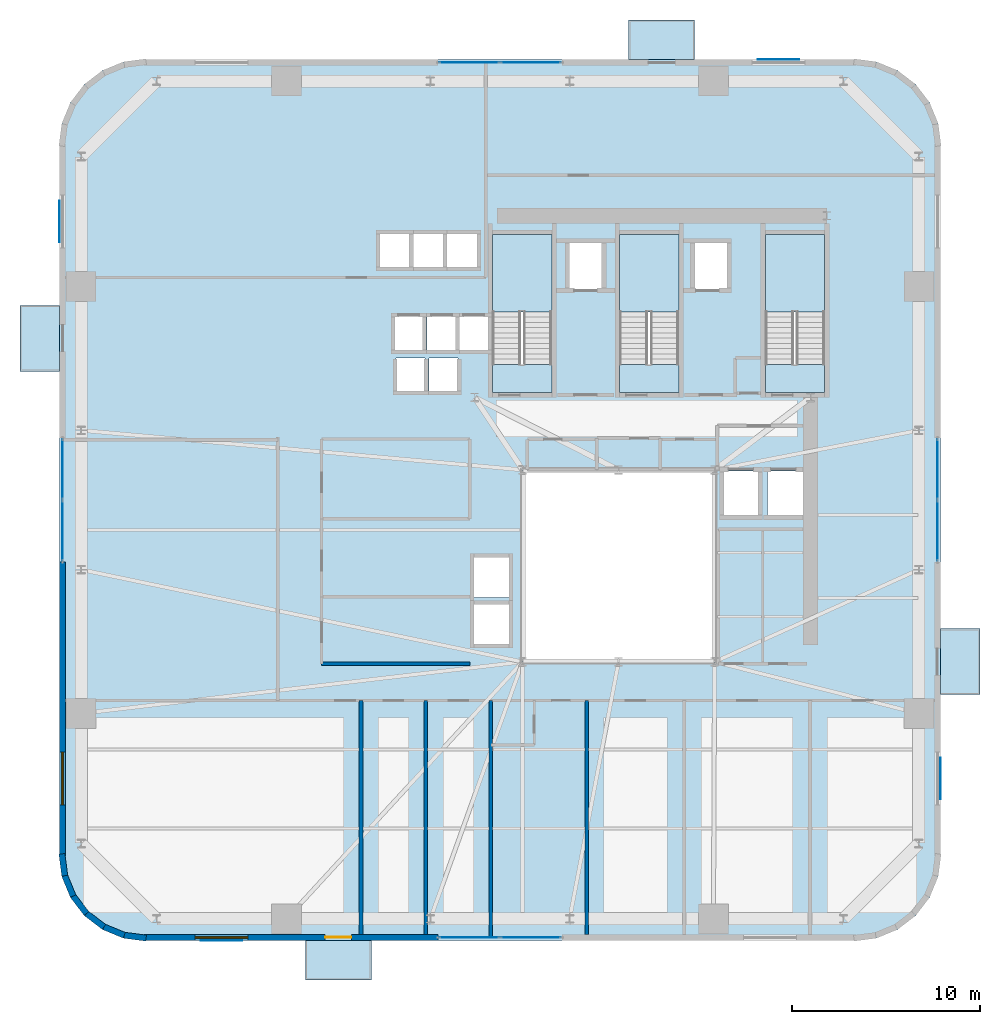
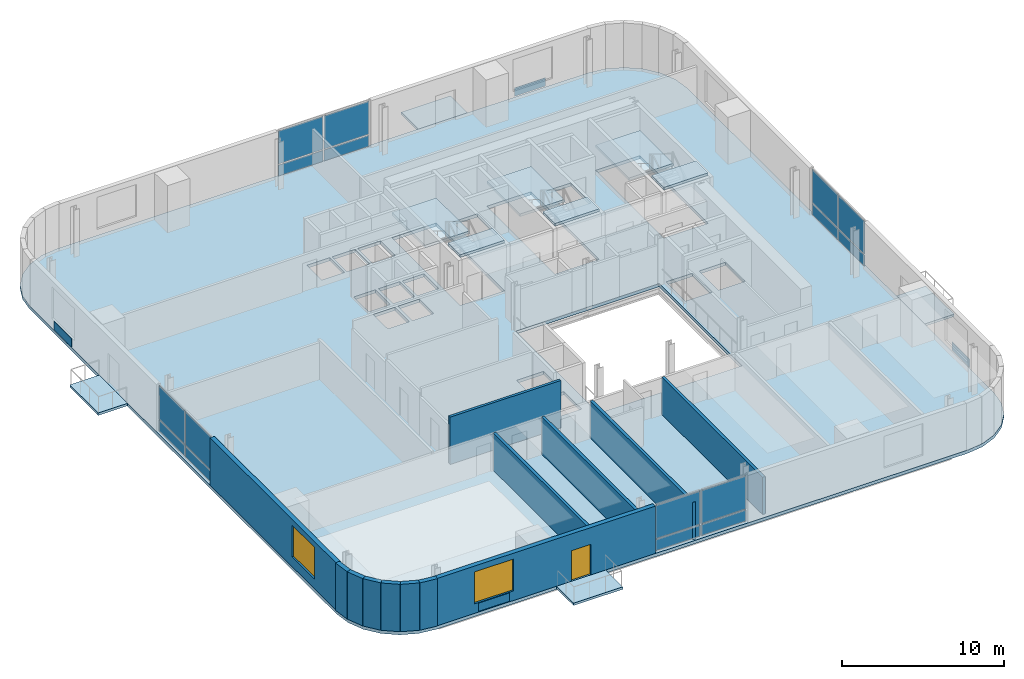
# One storey, part 5 of 14: 20 plates, 13 walls, 11 slabs, 2 windows, 1 door, 3 openings, 7 elements without a shape of their own.
"""IFC4 building model written with IfcOpenShell, lengths in metres."""

from ifc_helpers import new_model, si_unit, direction, frame, frame_2d, origin, origin_2d, place, context, subcontext, project, spatial, polyline, rectangle, outline, extrude, source, transform, mapped, material, layer, layer_set, type_object, element, fill, aggregate, save


model = new_model("IFC4")

# Units and contexts
model_context = context("Model", 3, precision=1e-05, world=origin(), true_north=direction((0.0, 1.0)))
body_context = subcontext(model_context, "Body", "Model", "MODEL_VIEW")
ifc_project = project(units=[si_unit("LENGTHUNIT", "METRE"), si_unit("AREAUNIT", "SQUARE_METRE"), si_unit("VOLUMEUNIT", "CUBIC_METRE"), si_unit("PLANEANGLEUNIT", "RADIAN"), si_unit("MASSUNIT", "GRAM", prefix="KILO")], contexts=[model_context])

# Site, building, storey
site_placement = place(None, origin())
site = spatial("IfcSite", under=ifc_project, at=site_placement, CompositionType="ELEMENT")
building_placement = place(site_placement, origin())
building = spatial("IfcBuilding", under=site, at=building_placement, Name="Vardaveli Station Tower", CompositionType="ELEMENT")
storey_placement = place(building_placement, frame((0.0, 0.0, 103.699951171875)))
storey = spatial("IfcBuildingStorey", under=building, at=storey_placement, Name="L26", CompositionType="ELEMENT", Elevation=103.699951171875)

# Stair, slabs
ifc_material_1 = material(Name="Concrete C40/50", Category="concrete")
stair_type = type_object("IfcStairType", Name="STR-CORE-1500", PredefinedType="HALF_TURN_STAIR", material=ifc_material_1)
stair_1_placement = place(storey_placement, origin())
stair_1 = element("IfcStair", 1, at=stair_1_placement, inside=storey, type_object=stair_type, Name="L26 ST-1", PredefinedType="HALF_TURN_STAIR")
ifc_layer_1 = layer(ifc_material_1, 0.199951171875, Name="Concrete C40/50")
ifc_layer_set_1 = layer_set([ifc_layer_1], Name="Concrete C40/50")
slab_type_1 = type_object("IfcSlabType", Name="SLB-LAND-200", PredefinedType="LANDING", material=ifc_layer_set_1)
slab_1_placement = place(storey_placement, frame((0.0, 0.0, 1.699951171875)))
slab_1 = element("IfcSlab", 2, at=slab_1_placement, type_object=slab_type_1, Name="ST-1 landing 1", PredefinedType="LANDING", context=body_context, shape_type="SweptSolid", body=[
    extrude(outline(polyline([(32.75, 35.199951171875), (32.75, 39.300048828125), (29.60009765625, 39.300048828125), (29.60009765625, 35.199951171875), (32.75, 35.199951171875)])), origin(), (0.0, 0.0, 1.0), 0.2001953125),
])
slab_2_placement = place(storey_placement, frame((0.0, 0.0, 3.60009765625)))
slab_2 = element("IfcSlab", 3, at=slab_2_placement, type_object=slab_type_1, Name="ST-1 landing 2", PredefinedType="LANDING", context=body_context, shape_type="SweptSolid", body=[
    extrude(outline(polyline([(32.75, 30.89990234375), (32.75, 32.39990234375), (29.60009765625, 32.39990234375), (29.60009765625, 30.89990234375), (32.75, 30.89990234375)])), origin(), (0.0, 0.0, 1.0), 0.199951171875),
])
aggregate(stair_1, [slab_1, slab_2])

stair_2_placement = place(storey_placement, origin())
stair_2 = element("IfcStair", 4, at=stair_2_placement, inside=storey, type_object=stair_type, Name="L26 ST-2", PredefinedType="HALF_TURN_STAIR")
slab_3_placement = place(storey_placement, frame((0.0, 0.0, 1.699951171875)))
slab_3 = element("IfcSlab", 5, at=slab_3_placement, type_object=slab_type_1, Name="ST-2 landing 1", PredefinedType="LANDING", context=body_context, shape_type="SweptSolid", body=[
    extrude(outline(polyline([(39.5, 35.199951171875), (39.5, 39.300048828125), (36.35009765625, 39.300048828125), (36.35009765625, 35.199951171875), (39.5, 35.199951171875)])), origin(), (0.0, 0.0, 1.0), 0.2001953125),
])
slab_4_placement = place(storey_placement, frame((0.0, 0.0, 3.60009765625)))
slab_4 = element("IfcSlab", 6, at=slab_4_placement, type_object=slab_type_1, Name="ST-2 landing 2", PredefinedType="LANDING", context=body_context, shape_type="SweptSolid", body=[
    extrude(outline(polyline([(39.5, 30.89990234375), (39.5, 32.39990234375), (36.35009765625, 32.39990234375), (36.35009765625, 30.89990234375), (39.5, 30.89990234375)])), origin(), (0.0, 0.0, 1.0), 0.199951171875),
])
aggregate(stair_2, [slab_3, slab_4])

stair_3_placement = place(storey_placement, origin())
stair_3 = element("IfcStair", 7, at=stair_3_placement, inside=storey, type_object=stair_type, Name="L26 ST-3", PredefinedType="HALF_TURN_STAIR")
slab_5_placement = place(storey_placement, frame((0.0, 0.0, 1.699951171875)))
slab_5 = element("IfcSlab", 8, at=slab_5_placement, type_object=slab_type_1, Name="ST-3 landing 1", PredefinedType="LANDING", context=body_context, shape_type="SweptSolid", body=[
    extrude(outline(polyline([(47.25, 35.199951171875), (47.25, 39.300048828125), (44.10009765625, 39.300048828125), (44.10009765625, 35.199951171875), (47.25, 35.199951171875)])), origin(), (0.0, 0.0, 1.0), 0.2001953125),
])
slab_6_placement = place(storey_placement, frame((0.0, 0.0, 3.60009765625)))
slab_6 = element("IfcSlab", 9, at=slab_6_placement, type_object=slab_type_1, Name="ST-3 landing 2", PredefinedType="LANDING", context=body_context, shape_type="SweptSolid", body=[
    extrude(outline(polyline([(47.25, 30.89990234375), (47.25, 32.39990234375), (44.10009765625, 32.39990234375), (44.10009765625, 30.89990234375), (47.25, 30.89990234375)])), origin(), (0.0, 0.0, 1.0), 0.199951171875),
])
aggregate(stair_3, [slab_5, slab_6])

# Slabs
ifc_material_2 = material(Name="Precast concrete C45/55", Category="concrete")
ifc_layer_2 = layer(ifc_material_2, 0.179931640625, Name="Precast concrete C45/55")
ifc_layer_set_2 = layer_set([ifc_layer_2], Name="Precast concrete C45/55")
slab_type_2 = type_object("IfcSlabType", Name="SLB-LOGGIA-180", PredefinedType="FLOOR", material=ifc_layer_set_2)
slab_7_placement = place(storey_placement, frame((0.0, 0.0, -0.179931640625)))
element("IfcSlab", 10, at=slab_7_placement, inside=storey, type_object=slab_type_2, Name="LOG-L26-S", PredefinedType="FLOOR", context=body_context, shape_type="SweptSolid", body=[
    extrude(outline(polyline([(19.660400390625, -0.300048828125), (23.160400390625, -0.300048828125), (23.160400390625, 1.800048828125), (19.660400390625, 1.800048828125), (19.660400390625, -0.300048828125)])), origin(), (0.0, 0.0, 1.0), 0.179931640625),
])
slab_8_placement = place(storey_placement, frame((0.0, 0.0, -0.179931640625)))
element("IfcSlab", 11, at=slab_8_placement, inside=storey, type_object=slab_type_2, Name="LOG-L26-N", PredefinedType="FLOOR", context=body_context, shape_type="SweptSolid", body=[
    extrude(outline(polyline([(36.839599609375, 48.60009765625), (40.339599609375, 48.60009765625), (40.339599609375, 50.699951171875), (36.839599609375, 50.699951171875), (36.839599609375, 48.60009765625)])), origin(), (0.0, 0.0, 1.0), 0.179931640625),
])
slab_9_placement = place(storey_placement, frame((0.0, 0.0, -0.179931640625)))
element("IfcSlab", 12, at=slab_9_placement, inside=storey, type_object=slab_type_2, Name="LOG-L26-W", PredefinedType="FLOOR", context=body_context, shape_type="SweptSolid", body=[
    extrude(outline(polyline([(4.5, 32.03955078125), (6.60009765625, 32.03955078125), (6.60009765625, 35.53955078125), (4.5, 35.53955078125), (4.5, 32.03955078125)])), origin(), (0.0, 0.0, 1.0), 0.179931640625),
])
slab_10_placement = place(storey_placement, frame((0.0, 0.0, -0.179931640625)))
element("IfcSlab", 13, at=slab_10_placement, inside=storey, type_object=slab_type_2, Name="LOG-L26-E", PredefinedType="FLOOR", context=body_context, shape_type="SweptSolid", body=[
    extrude(outline(polyline([(53.39990234375, 14.8603515625), (55.5, 14.8603515625), (55.5, 18.3603515625), (53.39990234375, 18.3603515625), (53.39990234375, 14.8603515625)])), origin(), (0.0, 0.0, 1.0), 0.179931640625),
])
ifc_layer_3 = layer(ifc_material_1, 0.239990234375, Name="Concrete C40/50")
ifc_layer_set_3 = layer_set([ifc_layer_3], Name="Concrete C40/50")
slab_type_3 = type_object("IfcSlabType", Name="SLB-TOW-240", PredefinedType="FLOOR", material=ifc_layer_set_3)
slab_11_placement = place(storey_placement, frame((0.0, 0.0, -0.239990234375)))
element("IfcSlab", 14, at=slab_11_placement, inside=storey, type_object=slab_type_3, Name="SLB-L26-MAIN", PredefinedType="FLOOR", context=body_context, shape_type="SweptSolid", body=[
    extrude(outline(polyline([(6.60009765625, 6.300048828125), (6.75341796875, 5.13525390625), (7.202880859375, 4.050048828125), (7.91796875, 3.117919921875), (8.85009765625, 2.40283203125), (9.935302734375, 1.953369140625), (11.10009765625, 1.800048828125), (48.89990234375, 1.800048828125), (50.064697265625, 1.953369140625), (51.14990234375, 2.40283203125), (52.08203125, 3.117919921875), (52.797119140625, 4.050048828125), (53.24658203125, 5.13525390625), (53.39990234375, 6.300048828125), (53.39990234375, 44.10009765625), (53.24658203125, 45.2646484375), (52.797119140625, 46.35009765625), (52.08203125, 47.281982421875), (51.14990234375, 47.9970703125), (50.064697265625, 48.44677734375), (48.89990234375, 48.60009765625), (11.10009765625, 48.60009765625), (9.935302734375, 48.44677734375), (8.85009765625, 47.9970703125), (7.91796875, 47.281982421875), (7.202880859375, 46.35009765625), (6.75341796875, 45.2646484375), (6.60009765625, 44.10009765625), (6.60009765625, 6.300048828125)]), holes=[polyline([(31.199951171875, 16.60009765625), (41.39990234375, 16.60009765625), (41.39990234375, 26.800048828125), (31.199951171875, 26.800048828125), (31.199951171875, 16.60009765625)]), polyline([(32.75, 30.89990234375), (32.75, 39.300048828125), (29.60009765625, 39.300048828125), (29.60009765625, 30.89990234375), (32.75, 30.89990234375)]), polyline([(39.5, 30.89990234375), (39.5, 39.300048828125), (36.35009765625, 39.300048828125), (36.35009765625, 30.89990234375), (39.5, 30.89990234375)]), polyline([(47.25, 30.89990234375), (47.25, 39.300048828125), (44.10009765625, 39.300048828125), (44.10009765625, 30.89990234375), (47.25, 30.89990234375)]), polyline([(23.5849609375, 37.534912109375), (25.215087890625, 37.534912109375), (25.215087890625, 39.364990234375), (23.5849609375, 39.364990234375), (23.5849609375, 37.534912109375)]), polyline([(25.385009765625, 37.534912109375), (27.014892578125, 37.534912109375), (27.014892578125, 39.364990234375), (25.385009765625, 39.364990234375), (25.385009765625, 37.534912109375)]), polyline([(27.18505859375, 37.534912109375), (28.81494140625, 37.534912109375), (28.81494140625, 39.364990234375), (27.18505859375, 39.364990234375), (27.18505859375, 37.534912109375)]), polyline([(24.385009765625, 33.135009765625), (25.9150390625, 33.135009765625), (25.9150390625, 34.965087890625), (24.385009765625, 34.965087890625), (24.385009765625, 33.135009765625)]), polyline([(26.135009765625, 33.135009765625), (27.6650390625, 33.135009765625), (27.6650390625, 34.965087890625), (26.135009765625, 34.965087890625), (26.135009765625, 33.135009765625)]), polyline([(27.8349609375, 33.135009765625), (29.364990234375, 33.135009765625), (29.364990234375, 34.965087890625), (27.8349609375, 34.965087890625), (27.8349609375, 33.135009765625)]), polyline([(33.659912109375, 36.409912109375), (35.43994140625, 36.409912109375), (35.43994140625, 38.889892578125), (33.659912109375, 38.889892578125), (33.659912109375, 36.409912109375)]), polyline([(40.31005859375, 36.409912109375), (42.090087890625, 36.409912109375), (42.090087890625, 38.889892578125), (40.31005859375, 38.889892578125), (40.31005859375, 36.409912109375)]), polyline([(24.485107421875, 30.9599609375), (26.014892578125, 30.9599609375), (26.014892578125, 32.739990234375), (24.485107421875, 32.739990234375), (24.485107421875, 30.9599609375)]), polyline([(26.235107421875, 30.9599609375), (27.764892578125, 30.9599609375), (27.764892578125, 32.739990234375), (26.235107421875, 32.739990234375), (26.235107421875, 30.9599609375)]), polyline([(28.5849609375, 17.510009765625), (30.514892578125, 17.510009765625), (30.514892578125, 19.68994140625), (28.5849609375, 19.68994140625), (28.5849609375, 17.510009765625)]), polyline([(28.5849609375, 20.010009765625), (30.514892578125, 20.010009765625), (30.514892578125, 22.18994140625), (28.5849609375, 22.18994140625), (28.5849609375, 20.010009765625)]), polyline([(41.860107421875, 24.360107421875), (43.739990234375, 24.360107421875), (43.739990234375, 26.739990234375), (41.860107421875, 26.739990234375), (41.860107421875, 24.360107421875)]), polyline([(44.2099609375, 24.360107421875), (46.090087890625, 24.360107421875), (46.090087890625, 26.739990234375), (44.2099609375, 26.739990234375), (44.2099609375, 24.360107421875)])]), origin(), (0.0, 0.0, 1.0), 0.239990234375),
])

# Curtain wall, plates
ifc_material_3 = material(Name="Travertine stone and solar-control glass", Category="masonry")
curtain_wall_type = type_object("IfcCurtainWallType", Name="CW-SYS-2", PredefinedType="NOTDEFINED", material=ifc_material_3)
curtain_wall_1_placement = place(storey_placement, origin())
curtain_wall_1 = element("IfcCurtainWall", 15, at=curtain_wall_1_placement, inside=storey, type_object=curtain_wall_type, Name="CW-L26-S", PredefinedType="NOTDEFINED")
ifc_material_4 = material(Name="Double-glazed low-E solar-control glass", Category="glass")
ifc_layer_4 = layer(ifc_material_4, 0.035888671875, Name="Double-glazed low-E solar-control glass")
ifc_layer_set_4 = layer_set([ifc_layer_4], Name="Double-glazed low-E solar-control glass")
plate_type_1 = type_object("IfcPlateType", Name="CW-SYS-2-PAN", PredefinedType="CURTAIN_PANEL", material=ifc_layer_set_4)
shared_shape_1 = source(origin(), body_context, "Body", "SweptSolid", [
    extrude(rectangle(XDim=3.172607421875, YDim=0.035888671875, at=origin_2d()), origin(), (0.0, 0.0, 1.0), 0.822509765625),
])
plate_1_placement = place(storey_placement, frame((28.371337890625, 1.9599609375, 0.0849609375), z_axis=(0.0, 0.0, 1.0), x_axis=(1.0, 0.0, 0.0)))
plate_1 = element("IfcPlate", 16, at=plate_1_placement, type_object=plate_type_1, Name="CW-2 panel 1.1", PredefinedType="CURTAIN_PANEL", context=body_context, shape_type="MappedRepresentation", body=[
    mapped(shared_shape_1, transform((0.0, 0.0, 0.0), scale=1.0)),
])
plate_2_placement = place(storey_placement, frame((31.628662109375, 1.9599609375, 0.0849609375), z_axis=(0.0, 0.0, 1.0), x_axis=(1.0, 0.0, 0.0)))
plate_2 = element("IfcPlate", 17, at=plate_2_placement, type_object=plate_type_1, Name="CW-2 panel 2.1", PredefinedType="CURTAIN_PANEL", context=body_context, shape_type="MappedRepresentation", body=[
    mapped(shared_shape_1, transform((0.0, 0.0, 0.0), scale=1.0)),
])

curtain_wall_2_placement = place(storey_placement, origin())
curtain_wall_2 = element("IfcCurtainWall", 18, at=curtain_wall_2_placement, inside=storey, type_object=curtain_wall_type, Name="CW-L26-N", PredefinedType="NOTDEFINED")
plate_3_placement = place(storey_placement, frame((31.628662109375, 48.43994140625, 0.0849609375), z_axis=(0.0, 0.0, 1.0), x_axis=(-1.0, 0.0, 0.0)))
plate_3 = element("IfcPlate", 19, at=plate_3_placement, type_object=plate_type_1, Name="CW-2 panel 1.1", PredefinedType="CURTAIN_PANEL", context=body_context, shape_type="MappedRepresentation", body=[
    mapped(shared_shape_1, transform((0.0, 0.0, 0.0), scale=1.0)),
])
plate_4_placement = place(storey_placement, frame((28.371337890625, 48.43994140625, 0.0849609375), z_axis=(0.0, 0.0, 1.0), x_axis=(-1.0, 0.0, 0.0)))
plate_4 = element("IfcPlate", 20, at=plate_4_placement, type_object=plate_type_1, Name="CW-2 panel 2.1", PredefinedType="CURTAIN_PANEL", context=body_context, shape_type="MappedRepresentation", body=[
    mapped(shared_shape_1, transform((0.0, 0.0, 0.0), scale=1.0)),
])

curtain_wall_3_placement = place(storey_placement, origin())
curtain_wall_3 = element("IfcCurtainWall", 21, at=curtain_wall_3_placement, inside=storey, type_object=curtain_wall_type, Name="CW-L26-W", PredefinedType="NOTDEFINED")
plate_5_placement = place(storey_placement, frame((6.760009765625, 26.828857421875, 0.0849609375), z_axis=(0.0, 0.0, 1.0), x_axis=(0.0, -1.0, 0.0)))
plate_5 = element("IfcPlate", 22, at=plate_5_placement, type_object=plate_type_1, Name="CW-2 panel 1.1", PredefinedType="CURTAIN_PANEL", context=body_context, shape_type="MappedRepresentation", body=[
    mapped(shared_shape_1, transform((0.0, 0.0, 0.0), scale=1.0)),
])
plate_6_placement = place(storey_placement, frame((6.760009765625, 23.5712890625, 0.0849609375), z_axis=(0.0, 0.0, 1.0), x_axis=(0.0, -1.0, 0.0)))
plate_6 = element("IfcPlate", 23, at=plate_6_placement, type_object=plate_type_1, Name="CW-2 panel 2.1", PredefinedType="CURTAIN_PANEL", context=body_context, shape_type="MappedRepresentation", body=[
    mapped(shared_shape_1, transform((0.0, 0.0, 0.0), scale=1.0)),
])

curtain_wall_4_placement = place(storey_placement, origin())
curtain_wall_4 = element("IfcCurtainWall", 24, at=curtain_wall_4_placement, inside=storey, type_object=curtain_wall_type, Name="CW-L26-E", PredefinedType="NOTDEFINED")
plate_7_placement = place(storey_placement, frame((53.239990234375, 23.5712890625, 0.0849609375), z_axis=(0.0, 0.0, 1.0), x_axis=(0.0, 1.0, 0.0)))
plate_7 = element("IfcPlate", 25, at=plate_7_placement, type_object=plate_type_1, Name="CW-2 panel 1.1", PredefinedType="CURTAIN_PANEL", context=body_context, shape_type="MappedRepresentation", body=[
    mapped(shared_shape_1, transform((0.0, 0.0, 0.0), scale=1.0)),
])
plate_8_placement = place(storey_placement, frame((53.239990234375, 26.828857421875, 0.0849609375), z_axis=(0.0, 0.0, 1.0), x_axis=(0.0, 1.0, 0.0)))
plate_8 = element("IfcPlate", 26, at=plate_8_placement, type_object=plate_type_1, Name="CW-2 panel 2.1", PredefinedType="CURTAIN_PANEL", context=body_context, shape_type="MappedRepresentation", body=[
    mapped(shared_shape_1, transform((0.0, 0.0, 0.0), scale=1.0)),
])

# Plates
ifc_material_5 = material(Name="Honed Caucasian travertine stone", Category="masonry")
ifc_layer_5 = layer(ifc_material_5, 0.034912109375, Name="Honed Caucasian travertine stone")
ifc_layer_set_5 = layer_set([ifc_layer_5], Name="Honed Caucasian travertine stone")
plate_type_2 = type_object("IfcPlateType", Name="PLT-TRAV-35", PredefinedType="SHEET", material=ifc_layer_set_5)
shared_shape_2 = source(origin(), body_context, "Body", "SweptSolid", [
    extrude(rectangle(XDim=2.199951171875, YDim=0.034912109375, at=origin_2d()), origin(), (0.0, 0.0, 1.0), 0.6201171875),
])
for number, where, z_axis, x_axis, name in (
    (27, (15.205078125, 1.79052734375, 0.070068359375), (0.0, 0.0, 1.0), (1.0, 0.0, 0.0), "PLT-TR-L26-S"),
    (28, (44.794921875, 48.609619140625, 0.070068359375), (0.0, 0.0, 1.0), (1.0, 0.0, 0.0), "PLT-TR-L26-N"),
    (29, (6.590576171875, 39.9951171875, 0.070068359375), (0.0, 0.0, 1.0), (0.0, 1.0, 0.0), "PLT-TR-L26-W"),
    (30, (53.409423828125, 10.405029296875, 0.070068359375), (0.0, 0.0, 1.0), (0.0, 1.0, 0.0), "PLT-TR-L26-E"),
):
    element("IfcPlate", number, at=place(storey_placement, frame(where, z_axis=z_axis, x_axis=x_axis)), inside=storey, type_object=plate_type_2, Name=name, PredefinedType="SHEET", context=body_context, shape_type="MappedRepresentation", body=[
        mapped(shared_shape_2, transform((0.0, 0.0, 0.0), scale=1.0)),
    ])

# Plate
shared_shape_3 = source(origin(), body_context, "Body", "SweptSolid", [
    extrude(rectangle(XDim=3.172607421875, YDim=0.035888671875, at=origin_2d()), origin(), (0.0, 0.0, 1.0), 2.482421875),
])
plate_9_placement = place(storey_placement, frame((28.371337890625, 1.9599609375, 0.99267578125), z_axis=(0.0, 0.0, 1.0), x_axis=(1.0, 0.0, 0.0)))
plate_9 = element("IfcPlate", 31, at=plate_9_placement, type_object=plate_type_1, Name="CW-2 panel 1.2", PredefinedType="CURTAIN_PANEL", context=body_context, shape_type="MappedRepresentation", body=[
    mapped(shared_shape_3, transform((0.0, 0.0, 0.0), scale=1.0)),
])

plate_10_placement = place(storey_placement, frame((31.628662109375, 1.9599609375, 0.99267578125), z_axis=(0.0, 0.0, 1.0), x_axis=(1.0, 0.0, 0.0)))
plate_10 = element("IfcPlate", 32, at=plate_10_placement, type_object=plate_type_1, Name="CW-2 panel 2.2", PredefinedType="CURTAIN_PANEL", context=body_context, shape_type="MappedRepresentation", body=[
    mapped(shared_shape_3, transform((0.0, 0.0, 0.0), scale=1.0)),
])

aggregate(curtain_wall_1, [plate_1, plate_9, plate_2, plate_10])

plate_11_placement = place(storey_placement, frame((31.628662109375, 48.43994140625, 0.99267578125), z_axis=(0.0, 0.0, 1.0), x_axis=(-1.0, 0.0, 0.0)))
plate_11 = element("IfcPlate", 33, at=plate_11_placement, type_object=plate_type_1, Name="CW-2 panel 1.2", PredefinedType="CURTAIN_PANEL", context=body_context, shape_type="MappedRepresentation", body=[
    mapped(shared_shape_3, transform((0.0, 0.0, 0.0), scale=1.0)),
])

plate_12_placement = place(storey_placement, frame((28.371337890625, 48.43994140625, 0.99267578125), z_axis=(0.0, 0.0, 1.0), x_axis=(-1.0, 0.0, 0.0)))
plate_12 = element("IfcPlate", 34, at=plate_12_placement, type_object=plate_type_1, Name="CW-2 panel 2.2", PredefinedType="CURTAIN_PANEL", context=body_context, shape_type="MappedRepresentation", body=[
    mapped(shared_shape_3, transform((0.0, 0.0, 0.0), scale=1.0)),
])

aggregate(curtain_wall_2, [plate_3, plate_11, plate_4, plate_12])

plate_13_placement = place(storey_placement, frame((6.760009765625, 26.828857421875, 0.99267578125), z_axis=(0.0, 0.0, 1.0), x_axis=(0.0, -1.0, 0.0)))
plate_13 = element("IfcPlate", 35, at=plate_13_placement, type_object=plate_type_1, Name="CW-2 panel 1.2", PredefinedType="CURTAIN_PANEL", context=body_context, shape_type="MappedRepresentation", body=[
    mapped(shared_shape_3, transform((0.0, 0.0, 0.0), scale=1.0)),
])

plate_14_placement = place(storey_placement, frame((6.760009765625, 23.5712890625, 0.99267578125), z_axis=(0.0, 0.0, 1.0), x_axis=(0.0, -1.0, 0.0)))
plate_14 = element("IfcPlate", 36, at=plate_14_placement, type_object=plate_type_1, Name="CW-2 panel 2.2", PredefinedType="CURTAIN_PANEL", context=body_context, shape_type="MappedRepresentation", body=[
    mapped(shared_shape_3, transform((0.0, 0.0, 0.0), scale=1.0)),
])

aggregate(curtain_wall_3, [plate_5, plate_13, plate_6, plate_14])

plate_15_placement = place(storey_placement, frame((53.239990234375, 23.5712890625, 0.99267578125), z_axis=(0.0, 0.0, 1.0), x_axis=(0.0, 1.0, 0.0)))
plate_15 = element("IfcPlate", 37, at=plate_15_placement, type_object=plate_type_1, Name="CW-2 panel 1.2", PredefinedType="CURTAIN_PANEL", context=body_context, shape_type="MappedRepresentation", body=[
    mapped(shared_shape_3, transform((0.0, 0.0, 0.0), scale=1.0)),
])

plate_16_placement = place(storey_placement, frame((53.239990234375, 26.828857421875, 0.99267578125), z_axis=(0.0, 0.0, 1.0), x_axis=(0.0, 1.0, 0.0)))
plate_16 = element("IfcPlate", 38, at=plate_16_placement, type_object=plate_type_1, Name="CW-2 panel 2.2", PredefinedType="CURTAIN_PANEL", context=body_context, shape_type="MappedRepresentation", body=[
    mapped(shared_shape_3, transform((0.0, 0.0, 0.0), scale=1.0)),
])

aggregate(curtain_wall_4, [plate_7, plate_15, plate_8, plate_16])

# Wall, openings, door, window
ifc_layer_6 = layer(ifc_material_2, 0.320068359375, Name="Precast concrete C45/55")
ifc_layer_set_6 = layer_set([ifc_layer_6], Name="Precast concrete C45/55")
wall_type_1 = type_object("IfcWallType", Name="WAL-EXT-STONE-320", PredefinedType="SOLIDWALL", material=ifc_layer_set_6)
shared_shape_4 = source(origin(), body_context, "Body", "SweptSolid", [
    extrude(rectangle(XDim=15.599853515625, YDim=0.320068359375, at=frame_2d((7.7998046875, 0.0))), origin(), (0.0, 0.0, 1.0), 3.56005859375),
])
wall_1_placement = place(storey_placement, frame((11.10009765625, 1.9599609375, 0.0), z_axis=(0.0, 0.0, 1.0), x_axis=(1.0, 0.0, 0.0)))
wall_1 = element("IfcWall", 39, at=wall_1_placement, inside=storey, type_object=wall_type_1, Name="EW-L26-S1", PredefinedType="SOLIDWALL", context=body_context, shape_type="MappedRepresentation", body=[
    mapped(shared_shape_4, transform((0.0, 0.0, 0.0), scale=1.0)),
])
shared_shape_5 = source(origin(), body_context, "Body", "SweptSolid", [
    extrude(rectangle(XDim=1.39990234375, YDim=2.300048828125, at=frame_2d((0.699951171875, 1.14990234375))), frame((0.0, 0.169921875, 0.0), z_axis=(0.0, -1.0, 0.0), x_axis=(1.0, 0.0, 0.0)), (0.0, 0.0, 1.0), 0.340087890625),
])
opening_1_placement = place(wall_1_placement, frame((9.6103515625, 0.0, 0.0)))
opening_1 = element("IfcOpeningElement", 40, at=opening_1_placement, cuts=wall_1, Name="Opening D-09", PredefinedType="OPENING", context=body_context, shape_type="MappedRepresentation", body=[
    mapped(shared_shape_5, transform((0.0, 0.0, 0.0), scale=1.0)),
])
shared_shape_6 = source(origin(), body_context, "Body", "SweptSolid", [
    extrude(rectangle(XDim=2.800048828125, YDim=2.39990234375, at=frame_2d((1.39990234375, 1.199951171875))), frame((0.0, 0.169921875, 0.0), z_axis=(0.0, -1.0, 0.0), x_axis=(1.0, 0.0, 0.0)), (0.0, 0.0, 1.0), 0.340087890625),
])
opening_2_placement = place(wall_1_placement, frame((2.705078125, 0.0, 0.719970703125)))
opening_2 = element("IfcOpeningElement", 41, at=opening_2_placement, cuts=wall_1, Name="Opening W-04", PredefinedType="OPENING", context=body_context, shape_type="MappedRepresentation", body=[
    mapped(shared_shape_6, transform((0.0, 0.0, 0.0), scale=1.0)),
])
ifc_material_6 = material(Name="Thermally broken aluminium glass", Category="aluminium")
door_type = type_object("IfcDoorType", Name="DR-LOG-1400x2300", OperationType="DOUBLE_DOOR_SLIDING", PredefinedType="DOOR", material=ifc_material_6)
shared_shape_7 = source(origin(), body_context, "Body", "SweptSolid", [
    extrude(rectangle(XDim=1.39990234375, YDim=2.300048828125, at=frame_2d((0.699951171875, 1.14990234375))), frame((0.0, 0.02490234375, 0.0), z_axis=(0.0, -1.0, 0.0), x_axis=(1.0, 0.0, 0.0)), (0.0, 0.0, 1.0), 0.050048828125),
])
door_placement = place(opening_1_placement, frame((1.39990234375, 0.0, 0.0), z_axis=(0.0, 0.0, 1.0), x_axis=(-1.0, 0.0, 0.0)))
door = element("IfcDoor", 42, at=door_placement, inside=storey, type_object=door_type, Name="DLG-L26-S", OperationType="DOUBLE_DOOR_SLIDING", OverallHeight=2.300048828125, OverallWidth=1.39990234375, PredefinedType="DOOR", context=body_context, shape_type="MappedRepresentation", body=[
    mapped(shared_shape_7, transform((0.0, 0.0, 0.0), scale=1.0)),
])
fill(opening_1, door)
ifc_material_7 = material(Name="Low-E solar-control glass", Category="glass")
window_type = type_object("IfcWindowType", Name="WIN-SUITE-2800x2400", PartitioningType="SINGLE_PANEL", PredefinedType="WINDOW", material=ifc_material_7)
shared_shape_8 = source(origin(), body_context, "Body", "SweptSolid", [
    extrude(rectangle(XDim=2.800048828125, YDim=2.39990234375, at=frame_2d((1.39990234375, 1.199951171875))), frame((0.0, 0.030029296875, 0.0), z_axis=(0.0, -1.0, 0.0), x_axis=(1.0, 0.0, 0.0)), (0.0, 0.0, 1.0), 0.06005859375),
])
window_1_placement = place(opening_2_placement, origin())
window_1 = element("IfcWindow", 43, at=window_1_placement, inside=storey, type_object=window_type, Name="WN-L26-S1", OverallHeight=2.39990234375, OverallWidth=2.800048828125, PartitioningType="SINGLE_PANEL", PredefinedType="WINDOW", context=body_context, shape_type="MappedRepresentation", body=[
    mapped(shared_shape_8, transform((0.0, 0.0, 0.0), scale=1.0)),
])
fill(opening_2, window_1)

# Wall, opening, window
wall_2_placement = place(storey_placement, frame((6.760009765625, 21.89990234375, 0.0), z_axis=(0.0, 0.0, 1.0), x_axis=(0.0, -1.0, 0.0)))
wall_2 = element("IfcWall", 44, at=wall_2_placement, inside=storey, type_object=wall_type_1, Name="EW-L26-W2", PredefinedType="SOLIDWALL", context=body_context, shape_type="MappedRepresentation", body=[
    mapped(shared_shape_4, transform((0.0, 0.0, 0.0), scale=1.0)),
])
opening_3_placement = place(wall_2_placement, frame((10.094970703125, 0.0, 0.719970703125)))
opening_3 = element("IfcOpeningElement", 45, at=opening_3_placement, cuts=wall_2, Name="Opening W-04", PredefinedType="OPENING", context=body_context, shape_type="MappedRepresentation", body=[
    mapped(shared_shape_6, transform((0.0, 0.0, 0.0), scale=1.0)),
])
window_2_placement = place(opening_3_placement, origin())
window_2 = element("IfcWindow", 46, at=window_2_placement, inside=storey, type_object=window_type, Name="WN-L26-W2", OverallHeight=2.39990234375, OverallWidth=2.800048828125, PartitioningType="SINGLE_PANEL", PredefinedType="WINDOW", context=body_context, shape_type="MappedRepresentation", body=[
    mapped(shared_shape_8, transform((0.0, 0.0, 0.0), scale=1.0)),
])
fill(opening_3, window_2)

# Walls
shared_shape_9 = source(origin(), body_context, "Body", "SweptSolid", [
    extrude(rectangle(XDim=1.170654296875, YDim=0.320068359375, at=frame_2d((0.58544921875, 0.0))), origin(), (0.0, 0.0, 1.0), 3.56005859375),
])
wall_3_placement = place(storey_placement, frame((6.724365234375, 6.400634765625, 0.0), z_axis=(0.0, 0.0, 1.0), x_axis=(0.128269133229, -0.991739395941, 0.0)))
element("IfcWall", 47, at=wall_3_placement, inside=storey, type_object=wall_type_1, Name="EW-L26-CR1-1", PredefinedType="SOLIDWALL", context=body_context, shape_type="MappedRepresentation", body=[
    mapped(shared_shape_9, transform((0.0, 0.0, 0.0), scale=1.0)),
])
shared_shape_10 = source(origin(), body_context, "Body", "SweptSolid", [
    extrude(rectangle(XDim=1.1689453125, YDim=0.320068359375, at=frame_2d((0.58447265625, 0.0))), origin(), (0.0, 0.0, 1.0), 3.56005859375),
])
for number, where, z_axis, x_axis, name in (
    (48, (6.87451171875, 5.23974609375, 0.0), (0.0, 0.0, 1.0), (0.381127904695, -0.924522320046, 0.0), "EW-L26-CR1-2"),
    (49, (7.320068359375, 4.158935546875, 0.0), (0.0, 0.0, 1.0), (0.608387696831, -0.793639975269, 0.0), "EW-L26-CR1-3"),
):
    element("IfcWall", number, at=place(storey_placement, frame(where, z_axis=z_axis, x_axis=x_axis)), inside=storey, type_object=wall_type_1, Name=name, PredefinedType="SOLIDWALL", context=body_context, shape_type="MappedRepresentation", body=[
        mapped(shared_shape_10, transform((0.0, 0.0, 0.0), scale=1.0)),
    ])
shared_shape_11 = source(origin(), body_context, "Body", "SweptSolid", [
    extrude(rectangle(XDim=1.168701171875, YDim=0.320068359375, at=frame_2d((0.58447265625, 0.0))), origin(), (0.0, 0.0, 1.0), 3.56005859375),
])
wall_4_placement = place(storey_placement, frame((8.03125, 3.231201171875, 0.0), z_axis=(0.0, 0.0, 1.0), x_axis=(0.793663520347, -0.608356981114, 0.0)))
element("IfcWall", 50, at=wall_4_placement, inside=storey, type_object=wall_type_1, Name="EW-L26-CR1-4", PredefinedType="SOLIDWALL", context=body_context, shape_type="MappedRepresentation", body=[
    mapped(shared_shape_11, transform((0.0, 0.0, 0.0), scale=1.0)),
])
shared_shape_12 = source(origin(), body_context, "Body", "SweptSolid", [
    extrude(rectangle(XDim=1.16943359375, YDim=0.320068359375, at=frame_2d((0.584716796875, 0.0))), origin(), (0.0, 0.0, 1.0), 3.56005859375),
])
wall_5_placement = place(storey_placement, frame((8.958740234375, 2.520263671875, 0.0), z_axis=(0.0, 0.0, 1.0), x_axis=(0.924479075121, -0.381232789334, 0.0)))
element("IfcWall", 51, at=wall_5_placement, inside=storey, type_object=wall_type_1, Name="EW-L26-CR1-5", PredefinedType="SOLIDWALL", context=body_context, shape_type="MappedRepresentation", body=[
    mapped(shared_shape_12, transform((0.0, 0.0, 0.0), scale=1.0)),
])
shared_shape_13 = source(origin(), body_context, "Body", "SweptSolid", [
    extrude(rectangle(XDim=1.170166015625, YDim=0.320068359375, at=frame_2d((0.5849609375, 0.0))), origin(), (0.0, 0.0, 1.0), 3.56005859375),
])
wall_6_placement = place(storey_placement, frame((10.039794921875, 2.074462890625, 0.0), z_axis=(0.0, 0.0, 1.0), x_axis=(0.991762485493, -0.128090485085, 0.0)))
element("IfcWall", 52, at=wall_6_placement, inside=storey, type_object=wall_type_1, Name="EW-L26-CR1-6", PredefinedType="SOLIDWALL", context=body_context, shape_type="MappedRepresentation", body=[
    mapped(shared_shape_13, transform((0.0, 0.0, 0.0), scale=1.0)),
])
ifc_material_8 = material(Name="Acoustic twin-stud gypsum partition")
ifc_layer_7 = layer(ifc_material_8, 0.199951171875, Name="Acoustic twin-stud gypsum partition")
ifc_layer_set_7 = layer_set([ifc_layer_7], Name="Acoustic twin-stud gypsum partition")
wall_type_2 = type_object("IfcWallType", Name="WAL-PARTY-200", PredefinedType="PARTITIONING", material=ifc_layer_set_7)
shared_shape_14 = source(origin(), body_context, "Body", "SweptSolid", [
    extrude(rectangle(XDim=12.427978515625, YDim=0.199951171875, at=frame_2d((6.2138671875, 0.0))), origin(), (0.0, 0.0, 1.0), 2.802001953125),
])
for number, where, z_axis, x_axis, name in (
    (53, (22.610107421875, 2.1220703125, 0.0), (0.0, 0.0, 1.0), (0.0, 1.0, 0.0), "W-L26-PS1"),
    (54, (26.06005859375, 2.1220703125, 0.0), (0.0, 0.0, 1.0), (0.0, 1.0, 0.0), "W-L26-PS2"),
    (55, (34.60693359375, 2.1220703125, 0.0), (0.0, 0.0, 1.0), (0.0, 1.0, 0.0), "W-L26-PS4"),
):
    element("IfcWall", number, at=place(storey_placement, frame(where, z_axis=z_axis, x_axis=x_axis)), inside=storey, type_object=wall_type_2, Name=name, PredefinedType="PARTITIONING", context=body_context, shape_type="MappedRepresentation", body=[
        mapped(shared_shape_14, transform((0.0, 0.0, 0.0), scale=1.0)),
    ])
shared_shape_15 = source(origin(), body_context, "Body", "SweptSolid", [
    extrude(rectangle(XDim=12.6201171875, YDim=0.199951171875, at=frame_2d((6.31005859375, 0.0))), origin(), (0.0, 0.0, 1.0), 2.802001953125),
])
wall_7_placement = place(storey_placement, frame((29.510009765625, 1.929931640625, 0.0), z_axis=(0.0, 0.0, 1.0), x_axis=(0.0, 1.0, 0.0)))
element("IfcWall", 56, at=wall_7_placement, inside=storey, type_object=wall_type_2, Name="W-L26-PS3", PredefinedType="PARTITIONING", context=body_context, shape_type="MappedRepresentation", body=[
    mapped(shared_shape_15, transform((0.0, 0.0, 0.0), scale=1.0)),
])
ifc_material_9 = material(Name="Fire-rated gypsum stud partition")
ifc_layer_8 = layer(ifc_material_9, 0.179931640625, Name="Fire-rated gypsum stud partition")
ifc_layer_set_8 = layer_set([ifc_layer_8], Name="Fire-rated gypsum stud partition")
wall_type_3 = type_object("IfcWallType", Name="WAL-CORR-180", PredefinedType="PARTITIONING", material=ifc_layer_set_8)
shared_shape_16 = source(origin(), body_context, "Body", "SweptSolid", [
    extrude(rectangle(XDim=7.8798828125, YDim=0.179931640625, at=frame_2d((3.93994140625, 0.0))), origin(), (0.0, 0.0, 1.0), 3.56005859375),
])
wall_8_placement = place(storey_placement, frame((20.52001953125, 16.5, 0.0), z_axis=(0.0, 0.0, 1.0), x_axis=(1.0, 0.0, 0.0)))
element("IfcWall", 57, at=wall_8_placement, inside=storey, type_object=wall_type_3, Name="W-L26-ATWA-S", PredefinedType="PARTITIONING", context=body_context, shape_type="MappedRepresentation", body=[
    mapped(shared_shape_16, transform((0.0, 0.0, 0.0), scale=1.0)),
])

save(model, "model.ifc")
